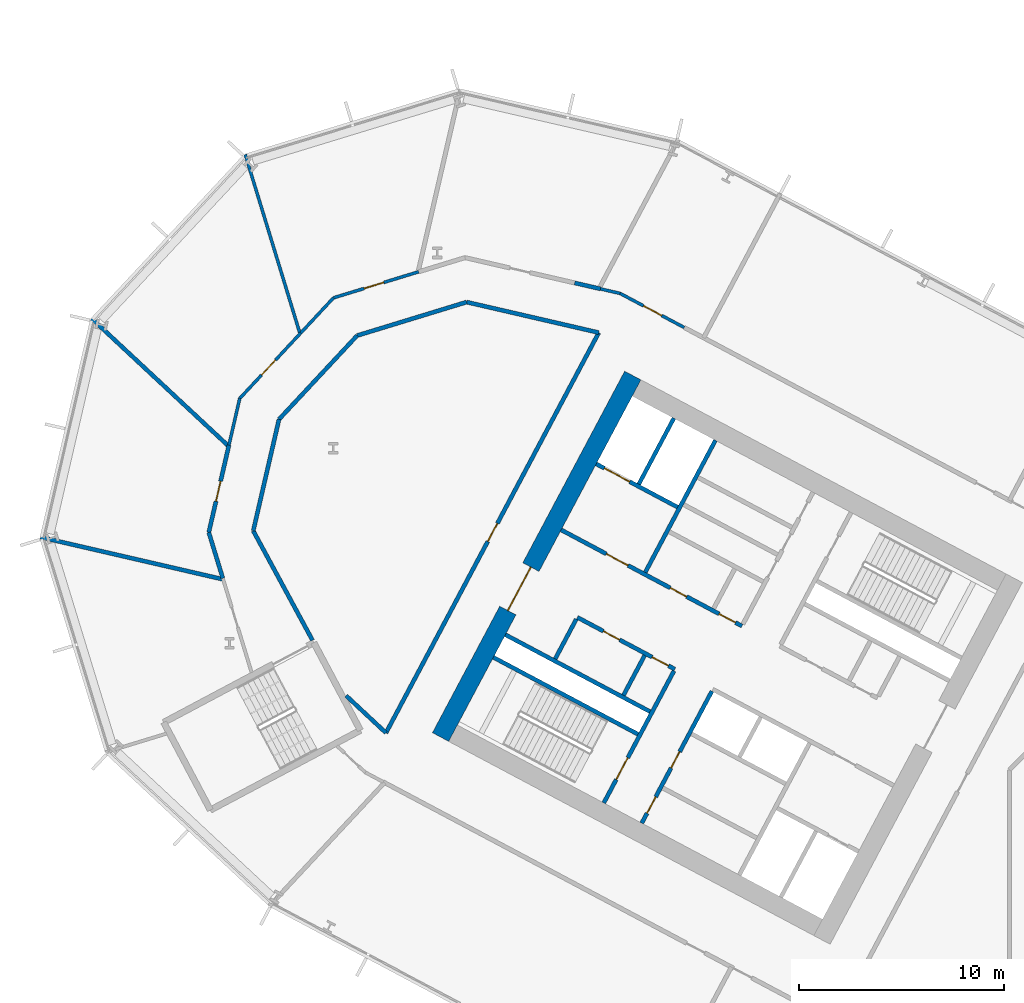
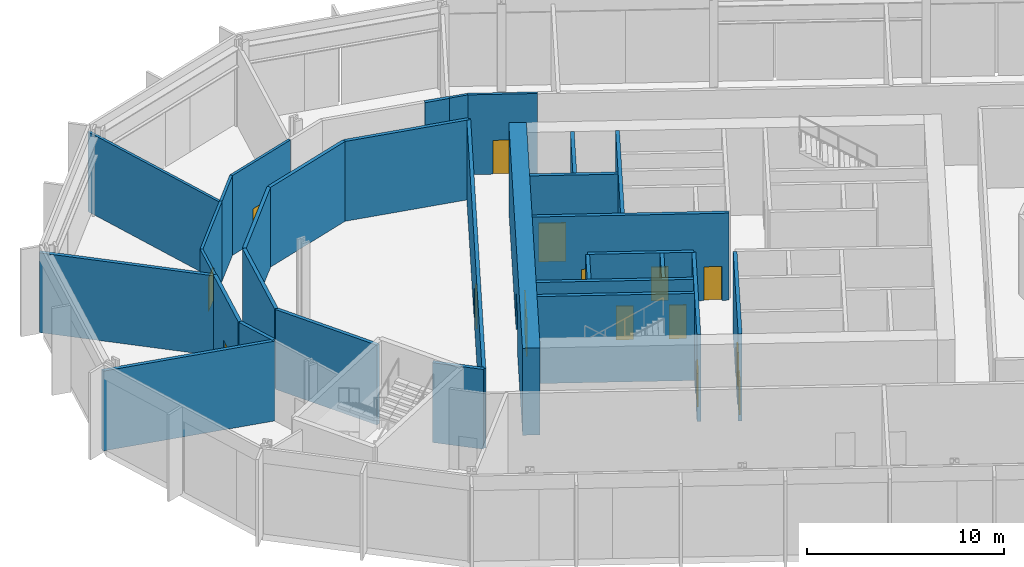
# One storey, part 13 of 31: 31 walls, 15 doors, 15 openings.
"""IFC4 building model written with IfcOpenShell, lengths in metres."""

from ifc_helpers import new_model, si_unit, direction, frame, frame_2d, origin, place, context, subcontext, project, spatial, rectangle, extrude, material, layer, layer_set, type_object, element, fill, save


model = new_model("IFC4")

# Units and contexts
model_context = context("Model", 3, precision=1e-05, world=origin(), true_north=direction((0.0, 1.0)))
body_context = subcontext(model_context, "Body", "Model", "MODEL_VIEW")
ifc_project = project(units=[si_unit("LENGTHUNIT", "METRE"), si_unit("AREAUNIT", "SQUARE_METRE"), si_unit("VOLUMEUNIT", "CUBIC_METRE"), si_unit("PLANEANGLEUNIT", "RADIAN"), si_unit("MASSUNIT", "GRAM", prefix="KILO")], contexts=[model_context])

# Site, building, storey
site_placement = place(None, origin())
site = spatial("IfcSite", under=ifc_project, at=site_placement, CompositionType="ELEMENT")
building_placement = place(site_placement, origin())
building = spatial("IfcBuilding", under=site, at=building_placement, Name="Cormorant Relay Tower", CompositionType="ELEMENT")
storey_placement = place(building_placement, frame((0.0, 0.0, 23.0)))
storey = spatial("IfcBuildingStorey", under=building, at=storey_placement, Name="L04", CompositionType="ELEMENT", Elevation=23.0)

# Wall
ifc_material_1 = material(Name="Concrete 40 MPa", Category="concrete")
ifc_layer_1 = layer(ifc_material_1, 0.199951171875)
ifc_layer_set_1 = layer_set([ifc_layer_1], Name="Core internal wall 200")
wall_type_1 = type_object("IfcWallType", Name="Core internal wall 200", PredefinedType="SOLIDWALL", material=ifc_layer_set_1)
wall_1_placement = place(storey_placement, frame((-31.41259765625, 14.663818359375, 0.0), z_axis=(0.0, 0.0, 1.0), x_axis=(-0.469533832133, -0.882914480843, 0.0)))
element("IfcWall", 1, at=wall_1_placement, inside=storey, type_object=wall_type_1, Name="L04 core A shaft and room wall", PredefinedType="SOLIDWALL", context=body_context, shape_type="SweptSolid", body=[
    extrude(rectangle(XDim=2.199951171875, YDim=0.199951171875, at=frame_2d((1.10009765625, 0.0))), origin(), (0.0, 0.0, 1.0), 5.39990234375),
])

# Wall, openings, doors
ifc_material_2 = material(Name="Concrete 50 MPa", Category="concrete")
ifc_layer_2 = layer(ifc_material_2, 0.199951171875)
ifc_layer_set_2 = layer_set([ifc_layer_2], Name="Core shaft wall 200")
wall_type_2 = type_object("IfcWallType", Name="Core shaft wall 200", PredefinedType="SHEAR", material=ifc_layer_set_2)
wall_2_placement = place(storey_placement, frame((-28.128173828125, 12.91748046875, 0.0), z_axis=(0.0, 0.0, 1.0), x_axis=(-0.469454336211, -0.882956752176, 0.0)))
wall_2 = element("IfcWall", 2, at=wall_2_placement, inside=storey, type_object=wall_type_2, Name="L04 core A shaft wall", PredefinedType="SHEAR", context=body_context, shape_type="SweptSolid", body=[
    extrude(rectangle(XDim=7.300048828125, YDim=0.199951171875, at=frame_2d((3.64990234375, 0.0))), origin(), (0.0, 0.0, 1.0), 5.39990234375),
])
opening_1_placement = place(wall_2_placement, frame((3.35009765625, 0.0, 0.0)))
opening_1 = element("IfcOpeningElement", 3, at=opening_1_placement, cuts=wall_2, Name="Opening CDD-069", PredefinedType="OPENING", context=body_context, shape_type="SweptSolid", body=[
    extrude(rectangle(XDim=0.89990234375, YDim=2.10009765625, at=frame_2d((0.449951171875, 1.050048828125))), frame((0.0, 0.10986328125, 0.0), z_axis=(0.0, -1.0, 0.0), x_axis=(1.0, 0.0, 0.0)), (0.0, 0.0, 1.0), 0.219970703125),
])
opening_2_placement = place(wall_2_placement, frame((5.85009765625, 0.0, 0.0)))
opening_2 = element("IfcOpeningElement", 4, at=opening_2_placement, cuts=wall_2, Name="Opening CDD-070", PredefinedType="OPENING", context=body_context, shape_type="SweptSolid", body=[
    extrude(rectangle(XDim=0.89990234375, YDim=2.10009765625, at=frame_2d((0.449951171875, 1.050048828125))), frame((0.0, 0.10986328125, 0.0), z_axis=(0.0, -1.0, 0.0), x_axis=(1.0, 0.0, 0.0)), (0.0, 0.0, 1.0), 0.219970703125),
])
ifc_material_3 = material(Name="Steel fire door", Category="steel")
door_type_1 = type_object("IfcDoorType", Name="Core room door 900x2100", OperationType="SINGLE_SWING_LEFT", PredefinedType="DOOR", material=ifc_material_3)
door_1_placement = place(opening_1_placement, origin())
door_1 = element("IfcDoor", 5, at=door_1_placement, inside=storey, type_object=door_type_1, Name="Core room door 900x2100", OperationType="SINGLE_SWING_LEFT", OverallHeight=2.10009765625, OverallWidth=0.89990234375, PredefinedType="DOOR", context=body_context, shape_type="SweptSolid", body=[
    extrude(rectangle(XDim=0.89990234375, YDim=2.10009765625, at=frame_2d((0.449951171875, 1.050048828125))), frame((0.0, 0.02490234375, 0.0), z_axis=(0.0, -1.0, 0.0), x_axis=(1.0, 0.0, 0.0)), (0.0, 0.0, 1.0), 0.050048828125),
])
fill(opening_1, door_1)
door_2_placement = place(opening_2_placement, origin())
door_2 = element("IfcDoor", 6, at=door_2_placement, inside=storey, type_object=door_type_1, Name="Core room door 900x2100", OperationType="SINGLE_SWING_LEFT", OverallHeight=2.10009765625, OverallWidth=0.89990234375, PredefinedType="DOOR", context=body_context, shape_type="SweptSolid", body=[
    extrude(rectangle(XDim=0.89990234375, YDim=2.10009765625, at=frame_2d((0.449951171875, 1.050048828125))), frame((0.0, 0.02490234375, 0.0), z_axis=(0.0, -1.0, 0.0), x_axis=(1.0, 0.0, 0.0)), (0.0, 0.0, 1.0), 0.050048828125),
])
fill(opening_2, door_2)

# Wall, opening, door
wall_3_placement = place(storey_placement, frame((-29.982421875, 13.9033203125, 0.0), z_axis=(0.0, 0.0, 1.0), x_axis=(-0.469454336211, -0.882956752176, 0.0)))
wall_3 = element("IfcWall", 7, at=wall_3_placement, inside=storey, type_object=wall_type_2, Name="L04 core A shaft wall", PredefinedType="SHEAR", context=body_context, shape_type="SweptSolid", body=[
    extrude(rectangle(XDim=7.300048828125, YDim=0.199951171875, at=frame_2d((3.64990234375, 0.0))), origin(), (0.0, 0.0, 1.0), 5.39990234375),
])
opening_3_placement = place(wall_3_placement, frame((4.800048828125, 0.0, 0.0)))
opening_3 = element("IfcOpeningElement", 8, at=opening_3_placement, cuts=wall_3, Name="Opening CDB-020", PredefinedType="OPENING", context=body_context, shape_type="SweptSolid", body=[
    extrude(rectangle(XDim=1.199951171875, YDim=2.10009765625, at=frame_2d((0.60009765625, 1.050048828125))), frame((0.0, 0.10986328125, 0.0), z_axis=(0.0, -1.0, 0.0), x_axis=(1.0, 0.0, 0.0)), (0.0, 0.0, 1.0), 0.219970703125),
])
ifc_material_4 = material(Name="Steel fire door", Category="steel")
door_type_2 = type_object("IfcDoorType", Name="Core stair door 1200x2100", OperationType="SINGLE_SWING_LEFT", PredefinedType="DOOR", material=ifc_material_4)
door_3_placement = place(opening_3_placement, frame((1.199951171875, 0.0, 0.0), z_axis=(0.0, 0.0, 1.0), x_axis=(-1.0, 0.0, 0.0)))
door_3 = element("IfcDoor", 9, at=door_3_placement, inside=storey, type_object=door_type_2, Name="Core stair door 1200x2100", OperationType="SINGLE_SWING_RIGHT", OverallHeight=2.10009765625, OverallWidth=1.199951171875, PredefinedType="DOOR", context=body_context, shape_type="SweptSolid", body=[
    extrude(rectangle(XDim=1.199951171875, YDim=2.10009765625, at=frame_2d((0.60009765625, 1.050048828125))), frame((0.0, 0.02490234375, 0.0), z_axis=(0.0, -1.0, 0.0), x_axis=(1.0, 0.0, 0.0)), (0.0, 0.0, 1.0), 0.050048828125),
])
fill(opening_3, door_3)

# Walls
wall_4_placement = place(storey_placement, frame((-27.955322265625, 25.170654296875, 0.0), z_axis=(0.0, 0.0, 1.0), x_axis=(-0.469480409012, -0.88294288918, 0.0)))
element("IfcWall", 10, at=wall_4_placement, inside=storey, type_object=wall_type_2, Name="L04 core A shaft wall", PredefinedType="SHEAR", context=body_context, shape_type="SweptSolid", body=[
    extrude(rectangle(XDim=7.300048828125, YDim=0.199951171875, at=frame_2d((3.64990234375, 0.0))), origin(), (0.0, 0.0, 1.0), 5.39990234375),
])
wall_5_placement = place(storey_placement, frame((-34.750244140625, 16.4384765625, 0.0), z_axis=(0.0, 0.0, 1.0), x_axis=(-0.469401318492, -0.882984938828, 0.0)))
element("IfcWall", 11, at=wall_5_placement, inside=storey, type_object=wall_type_2, Name="L04 core A shaft wall", PredefinedType="SHEAR", context=body_context, shape_type="SweptSolid", body=[
    extrude(rectangle(XDim=2.199951171875, YDim=0.199951171875, at=frame_2d((1.10009765625, 0.0))), origin(), (0.0, 0.0, 1.0), 5.39990234375),
])
wall_6_placement = place(storey_placement, frame((-29.986083984375, 26.250244140625, 0.0), z_axis=(0.0, 0.0, 1.0), x_axis=(-0.469494272526, -0.882935517501, 0.0)))
element("IfcWall", 12, at=wall_6_placement, inside=storey, type_object=wall_type_2, Name="L04 core A shaft wall", PredefinedType="SHEAR", context=body_context, shape_type="SweptSolid", body=[
    extrude(rectangle(XDim=3.64990234375, YDim=0.199951171875, at=frame_2d((1.824951171875, 0.0))), origin(), (0.0, 0.0, 1.0), 5.39990234375),
])

# Wall, opening, door
wall_7_placement = place(storey_placement, frame((-29.80419921875, 21.906494140625, 0.0), z_axis=(0.0, 0.0, 1.0), x_axis=(-0.882960433586, 0.469447412093, 0.0)))
wall_7 = element("IfcWall", 13, at=wall_7_placement, inside=storey, type_object=wall_type_2, Name="L04 core A shaft wall", PredefinedType="SHEAR", context=body_context, shape_type="SweptSolid", body=[
    extrude(rectangle(XDim=4.5, YDim=0.199951171875, at=frame_2d((2.25, 0.0))), origin(), (0.0, 0.0, 1.0), 5.39990234375),
])
opening_4_placement = place(wall_7_placement, frame((2.64990234375, 0.0, 0.0)))
opening_4 = element("IfcOpeningElement", 14, at=opening_4_placement, cuts=wall_7, Name="Opening LD3-007", PredefinedType="OPENING", context=body_context, shape_type="SweptSolid", body=[
    extrude(rectangle(XDim=1.39990234375, YDim=2.39990234375, at=frame_2d((0.699951171875, 1.199951171875))), frame((0.0, 0.10986328125, 0.0), z_axis=(0.0, -1.0, 0.0), x_axis=(1.0, 0.0, 0.0)), (0.0, 0.0, 1.0), 0.219970703125),
])
ifc_material_5 = material(Name="Stainless steel 316", Category="steel")
door_type_3 = type_object("IfcDoorType", Name="Lift landing door 1400x2400", OperationType="DOUBLE_DOOR_SLIDING", PredefinedType="DOOR", material=ifc_material_5)
door_4_placement = place(opening_4_placement, origin())
door_4 = element("IfcDoor", 15, at=door_4_placement, inside=storey, type_object=door_type_3, Name="SV1 landing door", OperationType="DOUBLE_DOOR_SLIDING", OverallHeight=2.39990234375, OverallWidth=1.39990234375, PredefinedType="DOOR", context=body_context, shape_type="SweptSolid", body=[
    extrude(rectangle(XDim=1.39990234375, YDim=2.39990234375, at=frame_2d((0.699951171875, 1.199951171875))), frame((0.0, 0.02490234375, 0.0), z_axis=(0.0, -1.0, 0.0), x_axis=(1.0, 0.0, 0.0)), (0.0, 0.0, 1.0), 0.050048828125),
])
fill(opening_4, door_4)

# Wall, openings, doors
wall_8_placement = place(storey_placement, frame((-26.66162109375, 16.1015625, 0.0), z_axis=(0.0, 0.0, 1.0), x_axis=(-0.882940221191, 0.469485426614, 0.0)))
wall_8 = element("IfcWall", 16, at=wall_8_placement, inside=storey, type_object=wall_type_2, Name="L04 core A shaft wall", PredefinedType="SHEAR", context=body_context, shape_type="SweptSolid", body=[
    extrude(rectangle(XDim=10.0, YDim=0.199951171875, at=frame_2d((5.0, 0.0))), origin(), (0.0, 0.0, 1.0), 5.39990234375),
])
opening_5_placement = place(wall_8_placement, frame((6.300048828125, 0.0, 0.0)))
opening_5 = element("IfcOpeningElement", 17, at=opening_5_placement, cuts=wall_8, Name="Opening CDC-014", PredefinedType="OPENING", context=body_context, shape_type="SweptSolid", body=[
    extrude(rectangle(XDim=1.199951171875, YDim=2.10009765625, at=frame_2d((0.60009765625, 1.050048828125))), frame((0.0, 0.10986328125, 0.0), z_axis=(0.0, -1.0, 0.0), x_axis=(1.0, 0.0, 0.0)), (0.0, 0.0, 1.0), 0.219970703125),
])
opening_6_placement = place(wall_8_placement, frame((0.360107421875, 0.0, 0.0)))
opening_6 = element("IfcOpeningElement", 18, at=opening_6_placement, cuts=wall_8, Name="Opening CDD-067", PredefinedType="OPENING", context=body_context, shape_type="SweptSolid", body=[
    extrude(rectangle(XDim=0.89990234375, YDim=2.10009765625, at=frame_2d((0.449951171875, 1.050048828125))), frame((0.0, 0.10986328125, 0.0), z_axis=(0.0, -1.0, 0.0), x_axis=(1.0, 0.0, 0.0)), (0.0, 0.0, 1.0), 0.219970703125),
])
opening_7_placement = place(wall_8_placement, frame((3.06005859375, 0.0, 0.0)))
opening_7 = element("IfcOpeningElement", 19, at=opening_7_placement, cuts=wall_8, Name="Opening CDD-068", PredefinedType="OPENING", context=body_context, shape_type="SweptSolid", body=[
    extrude(rectangle(XDim=0.89990234375, YDim=2.10009765625, at=frame_2d((0.449951171875, 1.050048828125))), frame((0.0, 0.10986328125, 0.0), z_axis=(0.0, -1.0, 0.0), x_axis=(1.0, 0.0, 0.0)), (0.0, 0.0, 1.0), 0.219970703125),
])
ifc_material_6 = material(Name="Steel fire door", Category="steel")
door_type_4 = type_object("IfcDoorType", Name="Core lobby door 1200x2100", OperationType="SINGLE_SWING_LEFT", PredefinedType="DOOR", material=ifc_material_6)
door_5_placement = place(opening_5_placement, origin())
door_5 = element("IfcDoor", 20, at=door_5_placement, inside=storey, type_object=door_type_4, Name="Core lobby door 1200x2100", OperationType="SINGLE_SWING_LEFT", OverallHeight=2.10009765625, OverallWidth=1.199951171875, PredefinedType="DOOR", context=body_context, shape_type="SweptSolid", body=[
    extrude(rectangle(XDim=1.199951171875, YDim=2.10009765625, at=frame_2d((0.60009765625, 1.050048828125))), frame((0.0, 0.02490234375, 0.0), z_axis=(0.0, -1.0, 0.0), x_axis=(1.0, 0.0, 0.0)), (0.0, 0.0, 1.0), 0.050048828125),
])
fill(opening_5, door_5)
door_6_placement = place(opening_6_placement, origin())
door_6 = element("IfcDoor", 21, at=door_6_placement, inside=storey, type_object=door_type_1, Name="Core room door 900x2100", OperationType="SINGLE_SWING_LEFT", OverallHeight=2.10009765625, OverallWidth=0.89990234375, PredefinedType="DOOR", context=body_context, shape_type="SweptSolid", body=[
    extrude(rectangle(XDim=0.89990234375, YDim=2.10009765625, at=frame_2d((0.449951171875, 1.050048828125))), frame((0.0, 0.02490234375, 0.0), z_axis=(0.0, -1.0, 0.0), x_axis=(1.0, 0.0, 0.0)), (0.0, 0.0, 1.0), 0.050048828125),
])
fill(opening_6, door_6)
door_7_placement = place(opening_7_placement, frame((0.89990234375, 0.0, 0.0), z_axis=(0.0, 0.0, 1.0), x_axis=(-1.0, 0.0, 0.0)))
door_7 = element("IfcDoor", 22, at=door_7_placement, inside=storey, type_object=door_type_1, Name="Core room door 900x2100", OperationType="SINGLE_SWING_RIGHT", OverallHeight=2.10009765625, OverallWidth=0.89990234375, PredefinedType="DOOR", context=body_context, shape_type="SweptSolid", body=[
    extrude(rectangle(XDim=0.89990234375, YDim=2.10009765625, at=frame_2d((0.449951171875, 1.050048828125))), frame((0.0, 0.02490234375, 0.0), z_axis=(0.0, -1.0, 0.0), x_axis=(1.0, 0.0, 0.0)), (0.0, 0.0, 1.0), 0.050048828125),
])
fill(opening_7, door_7)

wall_9_placement = place(storey_placement, frame((-29.935302734375, 13.991455078125, 0.0), z_axis=(0.0, 0.0, 1.0), x_axis=(-0.882952937579, 0.469461510692, 0.0)))
wall_9 = element("IfcWall", 23, at=wall_9_placement, inside=storey, type_object=wall_type_2, Name="L04 core A shaft wall", PredefinedType="SHEAR", context=body_context, shape_type="SweptSolid", body=[
    extrude(rectangle(XDim=5.400146484375, YDim=0.199951171875, at=frame_2d((2.7001953125, 0.0))), origin(), (0.0, 0.0, 1.0), 5.39990234375),
])
opening_8_placement = place(wall_9_placement, frame((0.360107421875, 0.0, 0.0)))
opening_8 = element("IfcOpeningElement", 24, at=opening_8_placement, cuts=wall_9, Name="Opening CDD-063", PredefinedType="OPENING", context=body_context, shape_type="SweptSolid", body=[
    extrude(rectangle(XDim=0.89990234375, YDim=2.10009765625, at=frame_2d((0.449951171875, 1.050048828125))), frame((0.0, 0.10986328125, 0.0), z_axis=(0.0, -1.0, 0.0), x_axis=(1.0, 0.0, 0.0)), (0.0, 0.0, 1.0), 0.219970703125),
])
opening_9_placement = place(wall_9_placement, frame((3.06005859375, 0.0, 0.0)))
opening_9 = element("IfcOpeningElement", 25, at=opening_9_placement, cuts=wall_9, Name="Opening CDD-064", PredefinedType="OPENING", context=body_context, shape_type="SweptSolid", body=[
    extrude(rectangle(XDim=0.89990234375, YDim=2.10009765625, at=frame_2d((0.449951171875, 1.050048828125))), frame((0.0, 0.10986328125, 0.0), z_axis=(0.0, -1.0, 0.0), x_axis=(1.0, 0.0, 0.0)), (0.0, 0.0, 1.0), 0.219970703125),
])
door_8_placement = place(opening_8_placement, origin())
door_8 = element("IfcDoor", 26, at=door_8_placement, inside=storey, type_object=door_type_1, Name="Core room door 900x2100", OperationType="SINGLE_SWING_LEFT", OverallHeight=2.10009765625, OverallWidth=0.89990234375, PredefinedType="DOOR", context=body_context, shape_type="SweptSolid", body=[
    extrude(rectangle(XDim=0.89990234375, YDim=2.10009765625, at=frame_2d((0.449951171875, 1.050048828125))), frame((0.0, 0.02490234375, 0.0), z_axis=(0.0, -1.0, 0.0), x_axis=(1.0, 0.0, 0.0)), (0.0, 0.0, 1.0), 0.050048828125),
])
fill(opening_8, door_8)
door_9_placement = place(opening_9_placement, origin())
door_9 = element("IfcDoor", 27, at=door_9_placement, inside=storey, type_object=door_type_1, Name="Core room door 900x2100", OperationType="SINGLE_SWING_LEFT", OverallHeight=2.10009765625, OverallWidth=0.89990234375, PredefinedType="DOOR", context=body_context, shape_type="SweptSolid", body=[
    extrude(rectangle(XDim=0.89990234375, YDim=2.10009765625, at=frame_2d((0.449951171875, 1.050048828125))), frame((0.0, 0.02490234375, 0.0), z_axis=(0.0, -1.0, 0.0), x_axis=(1.0, 0.0, 0.0)), (0.0, 0.0, 1.0), 0.050048828125),
])
fill(opening_9, door_9)

# Walls
for number, where, z_axis, x_axis, name in (
    (28, (-31.150390625, 11.91943359375, 0.0), (0.0, 0.0, 1.0), (-0.882940221191, 0.469485426614, 0.0), "L04 core A shaft wall"),
    (29, (-31.7373046875, 10.815673828125, 0.0), (0.0, 0.0, 1.0), (-0.882940221191, 0.469485426614, 0.0), "L04 core A shaft wall"),
):
    element("IfcWall", number, at=place(storey_placement, frame(where, z_axis=z_axis, x_axis=x_axis)), inside=storey, type_object=wall_type_2, Name=name, PredefinedType="SHEAR", context=body_context, shape_type="SweptSolid", body=[
        extrude(rectangle(XDim=8.0, YDim=0.199951171875, at=frame_2d((4.0, 0.0))), origin(), (0.0, 0.0, 1.0), 5.39990234375),
    ])

# Wall, opening, door
ifc_material_7 = material(Name="Concrete 70 MPa", Category="concrete")
ifc_layer_3 = layer(ifc_material_7, 0.89990234375)
ifc_layer_set_3 = layer_set([ifc_layer_3], Name="Core wall 900")
wall_type_3 = type_object("IfcWallType", Name="Core wall 900", PredefinedType="SHEAR", material=ifc_layer_set_3)
wall_10_placement = place(storey_placement, frame((-31.99169921875, 28.3359375, 0.0), z_axis=(0.0, 0.0, 1.0), x_axis=(-0.46947084998, -0.882947971864, 0.0)))
wall_10 = element("IfcWall", 30, at=wall_10_placement, inside=storey, type_object=wall_type_3, Name="L04 core A wall", PredefinedType="SHEAR", context=body_context, shape_type="SweptSolid", body=[
    extrude(rectangle(XDim=20.0, YDim=0.89990234375, at=frame_2d((10.0, 0.0))), origin(), (0.0, 0.0, 1.0), 5.39990234375),
])
opening_10_placement = place(wall_10_placement, frame((10.60009765625, 0.0, 0.0)))
opening_10 = element("IfcOpeningElement", 31, at=opening_10_placement, cuts=wall_10, Name="Opening CDA-014", PredefinedType="OPENING", context=body_context, shape_type="SweptSolid", body=[
    extrude(rectangle(XDim=2.39990234375, YDim=2.39990234375, at=frame_2d((1.199951171875, 1.199951171875))), frame((0.0, 0.4599609375, 0.0), z_axis=(0.0, -1.0, 0.0), x_axis=(1.0, 0.0, 0.0)), (0.0, 0.0, 1.0), 0.919921875),
])
ifc_material_8 = material(Name="Steel fire door", Category="steel")
door_type_5 = type_object("IfcDoorType", Name="Core lobby door 2400x2400", OperationType="DOUBLE_DOOR_SINGLE_SWING", PredefinedType="DOOR", material=ifc_material_8)
door_10_placement = place(opening_10_placement, origin())
door_10 = element("IfcDoor", 32, at=door_10_placement, inside=storey, type_object=door_type_5, Name="Core lobby door 2400x2400", OperationType="DOUBLE_DOOR_SINGLE_SWING", OverallHeight=2.39990234375, OverallWidth=2.39990234375, PredefinedType="DOOR", context=body_context, shape_type="SweptSolid", body=[
    extrude(rectangle(XDim=2.39990234375, YDim=2.39990234375, at=frame_2d((1.199951171875, 1.199951171875))), frame((0.0, 0.02490234375, 0.0), z_axis=(0.0, -1.0, 0.0), x_axis=(1.0, 0.0, 0.0)), (0.0, 0.0, 1.0), 0.050048828125),
])
fill(opening_10, door_10)

# Walls
ifc_material_9 = material(Name="Fire-rated gypsum board partition")
ifc_layer_4 = layer(ifc_material_9, 0.199951171875)
ifc_layer_set_4 = layer_set([ifc_layer_4], Name="Fire-rated gypsum partition 200")
wall_type_4 = type_object("IfcWallType", Name="Fire-rated gypsum partition 200", PredefinedType="PARTITIONING", material=ifc_layer_set_4)
wall_11_placement = place(storey_placement, frame((-52.0, 18.3798828125, 0.0), z_axis=(0.0, 0.0, 1.0), x_axis=(-0.974364676657, 0.224974391617, 0.0)))
element("IfcWall", 33, at=wall_11_placement, inside=storey, type_object=wall_type_4, Name="wall/L04/part/1", PredefinedType="PARTITIONING", context=body_context, shape_type="SweptSolid", body=[
    extrude(rectangle(XDim=9.15673828125, YDim=0.199951171875, at=frame_2d((4.578369140625, 0.0))), origin(), (0.0, 0.0, 1.0), 4.949951171875),
])
wall_12_placement = place(storey_placement, frame((-58.427001953125, 31.125, 0.0), z_axis=(0.0, 0.0, 1.0), x_axis=(0.731471018411, -0.681872531508, 0.0)))
element("IfcWall", 34, at=wall_12_placement, inside=storey, type_object=wall_type_4, Name="wall/L04/part/2", PredefinedType="PARTITIONING", context=body_context, shape_type="SweptSolid", body=[
    extrude(rectangle(XDim=9.155517578125, YDim=0.199951171875, at=frame_2d((4.57763671875, 0.0))), origin(), (0.0, 0.0, 1.0), 4.949951171875),
])

# Wall, opening, door
wall_13_placement = place(storey_placement, frame((-51.717041015625, 24.93505859375, 0.0), z_axis=(0.0, 0.0, 1.0), x_axis=(-0.224936958004, -0.974373319074, 0.0)))
wall_13 = element("IfcWall", 35, at=wall_13_placement, inside=storey, type_object=wall_type_4, Name="wall/L04/part/4", PredefinedType="PARTITIONING", context=body_context, shape_type="SweptSolid", body=[
    extrude(rectangle(XDim=4.3740234375, YDim=0.199951171875, at=frame_2d((2.18701171875, 0.0))), origin(), (0.0, 0.0, 1.0), 4.949951171875),
])
opening_11_placement = place(wall_13_placement, frame((1.81103515625, 0.0, 0.0)))
opening_11 = element("IfcOpeningElement", 36, at=opening_11_placement, cuts=wall_13, Name="Opening FD1-016", PredefinedType="OPENING", context=body_context, shape_type="SweptSolid", body=[
    extrude(rectangle(XDim=1.0, YDim=2.10009765625, at=frame_2d((0.5, 1.050048828125))), frame((0.0, 0.10986328125, 0.0), z_axis=(0.0, -1.0, 0.0), x_axis=(1.0, 0.0, 0.0)), (0.0, 0.0, 1.0), 0.219970703125),
])
ifc_material_10 = material(Name="Fire-rated steel door", Category="steel")
door_type_6 = type_object("IfcDoorType", Name="Fire door 1000 x 2100", OperationType="SINGLE_SWING_LEFT", PredefinedType="DOOR", material=ifc_material_10)
door_11_placement = place(opening_11_placement, frame((1.0, 0.0, 0.0), z_axis=(0.0, 0.0, 1.0), x_axis=(-1.0, 0.0, 0.0)))
door_11 = element("IfcDoor", 37, at=door_11_placement, inside=storey, type_object=door_type_6, Name="door/L04/18", OperationType="SINGLE_SWING_RIGHT", OverallHeight=2.10009765625, OverallWidth=1.0, PredefinedType="DOOR", context=body_context, shape_type="SweptSolid", body=[
    extrude(rectangle(XDim=1.0, YDim=2.10009765625, at=frame_2d((0.5, 1.050048828125))), frame((0.0, 0.02490234375, 0.0), z_axis=(0.0, -1.0, 0.0), x_axis=(1.0, 0.0, 0.0)), (0.0, 0.0, 1.0), 0.050048828125),
])
fill(opening_11, door_11)

# Walls
wall_14_placement = place(storey_placement, frame((-52.700927734375, 20.673095703125, 0.0), z_axis=(0.0, 0.0, 1.0), x_axis=(0.292364174208, -0.95630705824, 0.0)))
element("IfcWall", 38, at=wall_14_placement, inside=storey, type_object=wall_type_4, Name="wall/L04/part/5", PredefinedType="PARTITIONING", context=body_context, shape_type="SweptSolid", body=[
    extrude(rectangle(XDim=2.34228515625, YDim=0.199951171875, at=frame_2d((1.171142578125, 0.0))), origin(), (0.0, 0.0, 1.0), 4.949951171875),
])
wall_15_placement = place(storey_placement, frame((-47.635498046875, 15.404296875, 0.0), z_axis=(0.0, 0.0, 1.0), x_axis=(-0.476091616607, 0.879395686024, 0.0)))
element("IfcWall", 39, at=wall_15_placement, inside=storey, type_object=wall_type_4, Name="wall/L04/part/14", PredefinedType="PARTITIONING", context=body_context, shape_type="SweptSolid", body=[
    extrude(rectangle(XDim=6.07763671875, YDim=0.199951171875, at=frame_2d((3.038818359375, 0.0))), origin(), (0.0, 0.0, 1.0), 4.949951171875),
])
wall_16_placement = place(storey_placement, frame((-50.529052734375, 20.7490234375, 0.0), z_axis=(0.0, 0.0, 1.0), x_axis=(0.224961533954, 0.974367645317, 0.0)))
element("IfcWall", 40, at=wall_16_placement, inside=storey, type_object=wall_type_4, Name="wall/L04/part/15", PredefinedType="PARTITIONING", context=body_context, shape_type="SweptSolid", body=[
    extrude(rectangle(XDim=5.59228515625, YDim=0.199951171875, at=frame_2d((2.796142578125, 0.0))), origin(), (0.0, 0.0, 1.0), 4.949951171875),
])
wall_17_placement = place(storey_placement, frame((-49.27099609375, 26.197998046875, 0.0), z_axis=(0.0, 0.0, 1.0), x_axis=(0.682075535217, 0.73128172701, 0.0)))
element("IfcWall", 41, at=wall_17_placement, inside=storey, type_object=wall_type_4, Name="wall/L04/part/16", PredefinedType="PARTITIONING", context=body_context, shape_type="SweptSolid", body=[
    extrude(rectangle(XDim=5.591796875, YDim=0.199951171875, at=frame_2d((2.7958984375, 0.0))), origin(), (0.0, 0.0, 1.0), 4.949951171875),
])
wall_18_placement = place(storey_placement, frame((-45.45703125, 30.287109375, 0.0), z_axis=(0.0, 0.0, 1.0), x_axis=(0.956290198193, 0.292419316803, 0.0)))
element("IfcWall", 42, at=wall_18_placement, inside=storey, type_object=wall_type_4, Name="wall/L04/part/17", PredefinedType="PARTITIONING", context=body_context, shape_type="SweptSolid", body=[
    extrude(rectangle(XDim=5.59130859375, YDim=0.199951171875, at=frame_2d((2.795654296875, 0.0))), origin(), (0.0, 0.0, 1.0), 4.949951171875),
])
wall_19_placement = place(storey_placement, frame((-40.110107421875, 31.922119140625, 0.0), z_axis=(0.0, 0.0, 1.0), x_axis=(0.974361387977, -0.224988634423, 0.0)))
element("IfcWall", 43, at=wall_19_placement, inside=storey, type_object=wall_type_4, Name="wall/L04/part/18", PredefinedType="PARTITIONING", context=body_context, shape_type="SweptSolid", body=[
    extrude(rectangle(XDim=6.6279296875, YDim=0.199951171875, at=frame_2d((3.31396484375, 0.0))), origin(), (0.0, 0.0, 1.0), 4.949951171875),
])

# Wall, opening, door
wall_20_placement = place(storey_placement, frame((-33.652099609375, 30.430908203125, 0.0), z_axis=(0.0, 0.0, 1.0), x_axis=(-0.469497028511, -0.882934052021, 0.0)))
wall_20 = element("IfcWall", 44, at=wall_20_placement, inside=storey, type_object=wall_type_4, Name="wall/L04/part/19", PredefinedType="PARTITIONING", context=body_context, shape_type="SweptSolid", body=[
    extrude(rectangle(XDim=22.140869140625, YDim=0.199951171875, at=frame_2d((11.0703125, 0.0))), origin(), (0.0, 0.0, 1.0), 4.949951171875),
])
opening_12_placement = place(wall_20_placement, frame((10.550048828125, 0.0, 0.0)))
opening_12 = element("IfcOpeningElement", 45, at=opening_12_placement, cuts=wall_20, Name="Opening FD1-011", PredefinedType="OPENING", context=body_context, shape_type="SweptSolid", body=[
    extrude(rectangle(XDim=1.0, YDim=2.10009765625, at=frame_2d((0.5, 1.050048828125))), frame((0.0, 0.10986328125, 0.0), z_axis=(0.0, -1.0, 0.0), x_axis=(1.0, 0.0, 0.0)), (0.0, 0.0, 1.0), 0.219970703125),
])
door_12_placement = place(opening_12_placement, frame((1.0, 0.0, 0.0), z_axis=(0.0, 0.0, 1.0), x_axis=(-1.0, 0.0, 0.0)))
door_12 = element("IfcDoor", 46, at=door_12_placement, inside=storey, type_object=door_type_6, Name="door/L04/1", OperationType="SINGLE_SWING_RIGHT", OverallHeight=2.10009765625, OverallWidth=1.0, PredefinedType="DOOR", context=body_context, shape_type="SweptSolid", body=[
    extrude(rectangle(XDim=1.0, YDim=2.10009765625, at=frame_2d((0.5, 1.050048828125))), frame((0.0, 0.02490234375, 0.0), z_axis=(0.0, -1.0, 0.0), x_axis=(1.0, 0.0, 0.0)), (0.0, 0.0, 1.0), 0.050048828125),
])
fill(opening_12, door_12)

# Walls
wall_21_placement = place(storey_placement, frame((-44.047119140625, 10.882080078125, 0.0), z_axis=(0.0, 0.0, 1.0), x_axis=(-0.731253434149, 0.682105867916, 0.0)))
element("IfcWall", 47, at=wall_21_placement, inside=storey, type_object=wall_type_4, Name="wall/L04/part/20", PredefinedType="PARTITIONING", context=body_context, shape_type="SweptSolid", body=[
    extrude(rectangle(XDim=2.66259765625, YDim=0.199951171875, at=frame_2d((1.331298828125, 0.0))), origin(), (0.0, 0.0, 1.0), 4.949951171875),
])
wall_22_placement = place(storey_placement, frame((-34.833984375, 32.85888671875, 0.0), z_axis=(0.0, 0.0, 1.0), x_axis=(0.974505369621, -0.224364178469, 0.0)))
element("IfcWall", 48, at=wall_22_placement, inside=storey, type_object=wall_type_4, Name="wall/L04/part/28", PredefinedType="PARTITIONING", context=body_context, shape_type="SweptSolid", body=[
    extrude(rectangle(XDim=1.2958984375, YDim=0.199951171875, at=frame_2d((0.64794921875, 0.0))), origin(), (0.0, 0.0, 1.0), 4.949951171875),
])

# Wall, opening, door
ifc_material_11 = material(Name="Gypsum board partition")
ifc_layer_5 = layer(ifc_material_11, 0.14990234375)
ifc_layer_set_5 = layer_set([ifc_layer_5], Name="Gypsum board partition 150")
wall_type_5 = type_object("IfcWallType", Name="Gypsum board partition 150", PredefinedType="PARTITIONING", material=ifc_layer_set_5)
wall_23_placement = place(storey_placement, frame((-48.20703125, 30.4169921875, 0.0), z_axis=(0.0, 0.0, 1.0), x_axis=(-0.681976112234, -0.731374447422, 0.0)))
wall_23 = element("IfcWall", 49, at=wall_23_placement, inside=storey, type_object=wall_type_5, Name="wall/L04/part/7", PredefinedType="PARTITIONING", context=body_context, shape_type="SweptSolid", body=[
    extrude(rectangle(XDim=4.3740234375, YDim=0.14990234375, at=frame_2d((2.18701171875, 0.0))), origin(), (0.0, 0.0, 1.0), 4.949951171875),
])
opening_13_placement = place(wall_23_placement, frame((1.81201171875, 0.0, 0.0)))
opening_13 = element("IfcOpeningElement", 50, at=opening_13_placement, cuts=wall_23, Name="Opening D1-013", PredefinedType="OPENING", context=body_context, shape_type="SweptSolid", body=[
    extrude(rectangle(XDim=1.0, YDim=2.10009765625, at=frame_2d((0.5, 1.050048828125))), frame((0.0, 0.0849609375, 0.0), z_axis=(0.0, -1.0, 0.0), x_axis=(1.0, 0.0, 0.0)), (0.0, 0.0, 1.0), 0.169921875),
])
ifc_material_12 = material(Name="Painted steel door", Category="steel")
door_type_7 = type_object("IfcDoorType", Name="Single door 1000 x 2100", OperationType="SINGLE_SWING_LEFT", PredefinedType="DOOR", material=ifc_material_12)
door_13_placement = place(opening_13_placement, frame((1.0, 0.0, 0.0), z_axis=(0.0, 0.0, 1.0), x_axis=(-1.0, 0.0, 0.0)))
door_13 = element("IfcDoor", 51, at=door_13_placement, inside=storey, type_object=door_type_7, Name="door/L04/17", OperationType="SINGLE_SWING_RIGHT", OverallHeight=2.10009765625, OverallWidth=1.0, PredefinedType="DOOR", context=body_context, shape_type="SweptSolid", body=[
    extrude(rectangle(XDim=1.0, YDim=2.10009765625, at=frame_2d((0.5, 1.050048828125))), frame((0.0, 0.02490234375, 0.0), z_axis=(0.0, -1.0, 0.0), x_axis=(1.0, 0.0, 0.0)), (0.0, 0.0, 1.0), 0.050048828125),
])
fill(opening_13, door_13)

# Walls
wall_24_placement = place(storey_placement, frame((-51.18994140625, 27.218017578125, 0.0), z_axis=(0.0, 0.0, 1.0), x_axis=(-0.224966046097, -0.974366603545, 0.0)))
element("IfcWall", 52, at=wall_24_placement, inside=storey, type_object=wall_type_5, Name="wall/L04/part/8", PredefinedType="PARTITIONING", context=body_context, shape_type="SweptSolid", body=[
    extrude(rectangle(XDim=2.343017578125, YDim=0.14990234375, at=frame_2d((1.17138671875, 0.0))), origin(), (0.0, 0.0, 1.0), 4.949951171875),
])
wall_25_placement = place(storey_placement, frame((-50.922119140625, 39.133056640625, 0.0), z_axis=(0.0, 0.0, 1.0), x_axis=(0.292370951465, -0.956304986257, 0.0)))
element("IfcWall", 53, at=wall_25_placement, inside=storey, type_object=wall_type_5, Name="wall/L04/part/9", PredefinedType="PARTITIONING", context=body_context, shape_type="SweptSolid", body=[
    extrude(rectangle(XDim=9.15625, YDim=0.14990234375, at=frame_2d((4.578125, 0.0))), origin(), (0.0, 0.0, 1.0), 4.949951171875),
])

# Wall, opening, door
wall_26_placement = place(storey_placement, frame((-42.448974609375, 33.403076171875, 0.0), z_axis=(0.0, 0.0, 1.0), x_axis=(-0.956294478368, -0.292405319109, 0.0)))
wall_26 = element("IfcWall", 54, at=wall_26_placement, inside=storey, type_object=wall_type_5, Name="wall/L04/part/12", PredefinedType="PARTITIONING", context=body_context, shape_type="SweptSolid", body=[
    extrude(rectangle(XDim=4.35009765625, YDim=0.14990234375, at=frame_2d((2.175048828125, 0.0))), origin(), (0.0, 0.0, 1.0), 4.949951171875),
])
opening_14_placement = place(wall_26_placement, frame((1.7880859375, 0.0, 0.0)))
opening_14 = element("IfcOpeningElement", 55, at=opening_14_placement, cuts=wall_26, Name="Opening D1-012", PredefinedType="OPENING", context=body_context, shape_type="SweptSolid", body=[
    extrude(rectangle(XDim=1.0, YDim=2.10009765625, at=frame_2d((0.5, 1.050048828125))), frame((0.0, 0.0849609375, 0.0), z_axis=(0.0, -1.0, 0.0), x_axis=(1.0, 0.0, 0.0)), (0.0, 0.0, 1.0), 0.169921875),
])
door_14_placement = place(opening_14_placement, frame((1.0, 0.0, 0.0), z_axis=(0.0, 0.0, 1.0), x_axis=(-1.0, 0.0, 0.0)))
door_14 = element("IfcDoor", 56, at=door_14_placement, inside=storey, type_object=door_type_7, Name="door/L04/16", OperationType="SINGLE_SWING_RIGHT", OverallHeight=2.10009765625, OverallWidth=1.0, PredefinedType="DOOR", context=body_context, shape_type="SweptSolid", body=[
    extrude(rectangle(XDim=1.0, YDim=2.10009765625, at=frame_2d((0.5, 1.050048828125))), frame((0.0, 0.02490234375, 0.0), z_axis=(0.0, -1.0, 0.0), x_axis=(1.0, 0.0, 0.0)), (0.0, 0.0, 1.0), 0.050048828125),
])
fill(opening_14, door_14)

# Wall
wall_27_placement = place(storey_placement, frame((-46.60888671875, 32.131103515625, 0.0), z_axis=(0.0, 0.0, 1.0), x_axis=(-0.681932137148, -0.731415449881, 0.0)))
element("IfcWall", 57, at=wall_27_placement, inside=storey, type_object=wall_type_5, Name="wall/L04/part/13", PredefinedType="PARTITIONING", context=body_context, shape_type="SweptSolid", body=[
    extrude(rectangle(XDim=2.343505859375, YDim=0.14990234375, at=frame_2d((1.171875, 0.0))), origin(), (0.0, 0.0, 1.0), 4.949951171875),
])

# Wall, opening, door
wall_28_placement = place(storey_placement, frame((-29.47900390625, 30.680908203125, 0.0), z_axis=(0.0, 0.0, 1.0), x_axis=(-0.882984687867, 0.469401790572, 0.0)))
wall_28 = element("IfcWall", 58, at=wall_28_placement, inside=storey, type_object=wall_type_5, Name="wall/L04/part/30", PredefinedType="PARTITIONING", context=body_context, shape_type="SweptSolid", body=[
    extrude(rectangle(XDim=3.547119140625, YDim=0.14990234375, at=frame_2d((1.7734375, 0.0))), origin(), (0.0, 0.0, 1.0), 4.949951171875),
])
opening_15_placement = place(wall_28_placement, frame((1.25, 0.0, 0.0)))
opening_15 = element("IfcOpeningElement", 59, at=opening_15_placement, cuts=wall_28, Name="Opening D1-011", PredefinedType="OPENING", context=body_context, shape_type="SweptSolid", body=[
    extrude(rectangle(XDim=1.0, YDim=2.10009765625, at=frame_2d((0.5, 1.050048828125))), frame((0.0, 0.0849609375, 0.0), z_axis=(0.0, -1.0, 0.0), x_axis=(1.0, 0.0, 0.0)), (0.0, 0.0, 1.0), 0.169921875),
])
door_15_placement = place(opening_15_placement, frame((1.0, 0.0, 0.0), z_axis=(0.0, 0.0, 1.0), x_axis=(-1.0, 0.0, 0.0)))
door_15 = element("IfcDoor", 60, at=door_15_placement, inside=storey, type_object=door_type_7, Name="door/L04/14", OperationType="SINGLE_SWING_RIGHT", OverallHeight=2.10009765625, OverallWidth=1.0, PredefinedType="DOOR", context=body_context, shape_type="SweptSolid", body=[
    extrude(rectangle(XDim=1.0, YDim=2.10009765625, at=frame_2d((0.5, 1.050048828125))), frame((0.0, 0.02490234375, 0.0), z_axis=(0.0, -1.0, 0.0), x_axis=(1.0, 0.0, 0.0)), (0.0, 0.0, 1.0), 0.050048828125),
])
fill(opening_15, door_15)

# Wall
wall_29_placement = place(storey_placement, frame((-32.611083984375, 32.345947265625, 0.0), z_axis=(0.0, 0.0, 1.0), x_axis=(-0.974249018353, 0.225474721948, 0.0)))
element("IfcWall", 61, at=wall_29_placement, inside=storey, type_object=wall_type_5, Name="wall/L04/part/31", PredefinedType="PARTITIONING", context=body_context, shape_type="SweptSolid", body=[
    extrude(rectangle(XDim=0.9853515625, YDim=0.14990234375, at=frame_2d((0.49267578125, 0.0))), origin(), (0.0, 0.0, 1.0), 4.949951171875),
])

save(model, "model.ifc")
